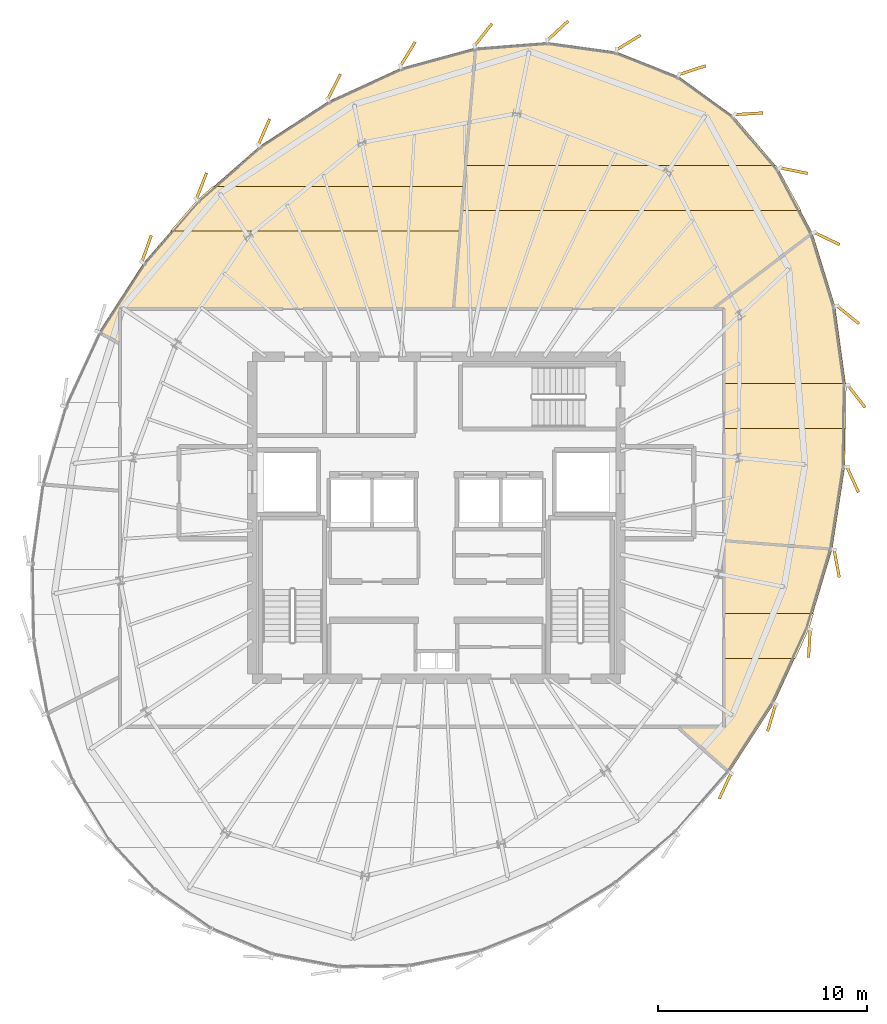
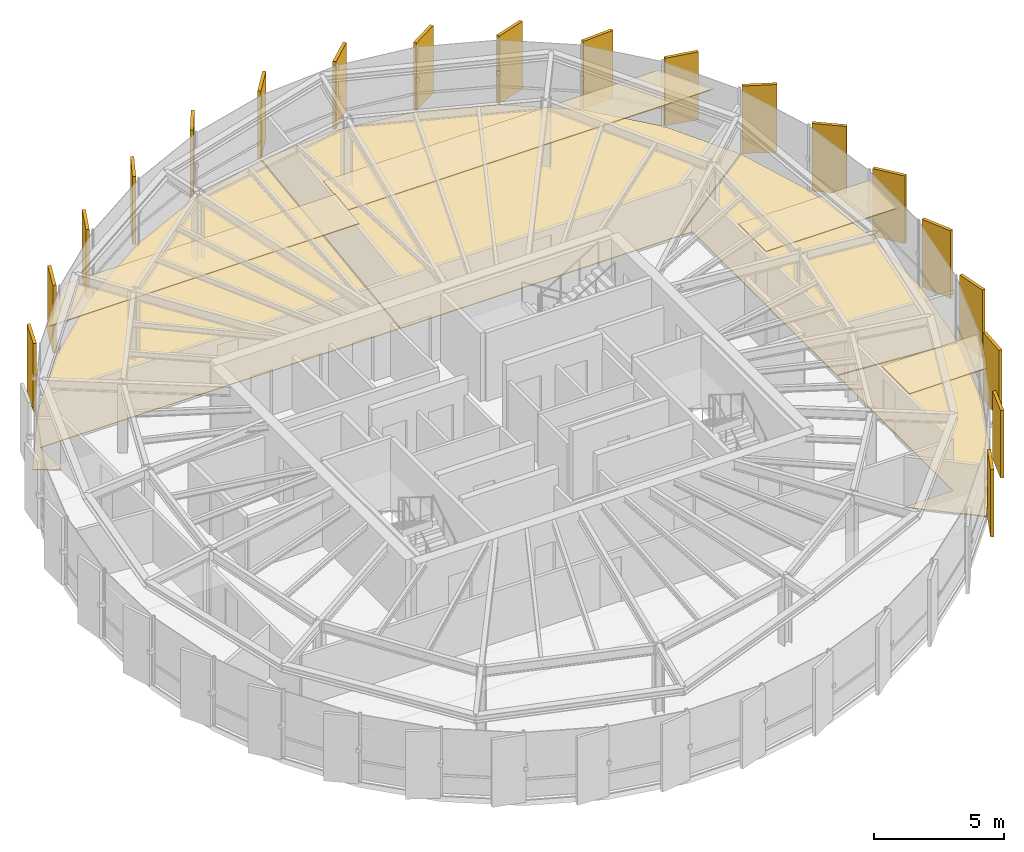
# One storey, part 32 of 32: 27 coverings.
"""IFC4 building model written with IfcOpenShell, lengths in metres."""

from ifc_helpers import new_model, si_unit, direction, frame, origin, origin_2d, place, context, subcontext, project, spatial, polyline, rectangle, outline, extrude, source, transform, mapped, material, layer, layer_set, type_object, element, save


model = new_model("IFC4")

# Units and contexts
model_context = context("Model", 3, precision=1e-05, world=origin(), true_north=direction((0.0, 1.0)))
body_context = subcontext(model_context, "Body", "Model", "MODEL_VIEW")
ifc_project = project(units=[si_unit("LENGTHUNIT", "METRE"), si_unit("AREAUNIT", "SQUARE_METRE"), si_unit("VOLUMEUNIT", "CUBIC_METRE"), si_unit("PLANEANGLEUNIT", "RADIAN"), si_unit("MASSUNIT", "GRAM", prefix="KILO"), si_unit("THERMODYNAMICTEMPERATUREUNIT", "KELVIN")], contexts=[model_context])

# Site, building, storey
site_placement = place(None, origin())
site = spatial("IfcSite", under=ifc_project, at=site_placement, CompositionType="ELEMENT")
building_placement = place(site_placement, origin())
building = spatial("IfcBuilding", under=site, at=building_placement, Name="Kethvar Cultural Tower", CompositionType="ELEMENT")
storey_placement = place(building_placement, frame((0.0, 0.0, 280.14990234375)))
storey = spatial("IfcBuildingStorey", under=building, at=storey_placement, Name="L74", CompositionType="ELEMENT", Elevation=280.14990234375)

# Coverings
ifc_material_1 = material(Name="Acoustic Mineral Fibre Ceiling")
ifc_layer_1 = layer(ifc_material_1, 0.0400390625, Name="Acoustic Mineral Fibre Ceiling")
ifc_layer_set_1 = layer_set([ifc_layer_1], Name="Acoustic Mineral Fibre Ceiling (40 mm)")
covering_type_1 = type_object("IfcCoveringType", Name="CV-ACOUSTIC-CEIL", PredefinedType="CEILING", material=ifc_layer_set_1)
covering_1_placement = place(storey_placement, frame((0.0, 0.0, 2.56005859375)))
element("IfcCovering", 1, at=covering_1_placement, inside=storey, type_object=covering_type_1, Name="L74 Room 02 Acoustic Ceiling Panel", PredefinedType="CEILING", context=body_context, shape_type="SweptSolid", body=[
    extrude(outline(polyline([(64.6142578125, 22.486083984375), (63.963623046875, 21.072998046875), (60.530029296875, 21.072998046875), (60.530029296875, 23.222900390625), (64.835205078125, 23.222900390625), (64.6142578125, 22.486083984375)])), origin(), (0.0, 0.0, 1.0), 0.0400390625),
])
covering_2_placement = place(storey_placement, frame((0.0, 0.0, 2.56005859375)))
element("IfcCovering", 2, at=covering_2_placement, inside=storey, type_object=covering_type_1, Name="L74 Room 03 Acoustic Ceiling Panel", PredefinedType="CEILING", context=body_context, shape_type="SweptSolid", body=[
    extrude(outline(polyline([(66.397216796875, 34.2197265625), (66.383056640625, 32.06982421875), (60.530029296875, 32.06982421875), (60.530029296875, 34.2197265625), (66.397216796875, 34.2197265625)])), origin(), (0.0, 0.0, 1.0), 0.0400390625),
])
covering_3_placement = place(storey_placement, frame((0.0, 0.0, 2.56005859375)))
element("IfcCovering", 3, at=covering_3_placement, inside=storey, type_object=covering_type_1, Name="L74 Room 04 Acoustic Ceiling Panel", PredefinedType="CEILING", context=body_context, shape_type="SweptSolid", body=[
    extrude(outline(polyline([(63.041015625, 44.64990234375), (64.233154296875, 42.499755859375), (47.984619140625, 42.499755859375), (48.160888671875, 44.64990234375), (63.041015625, 44.64990234375)])), origin(), (0.0, 0.0, 1.0), 0.0400390625),
])
covering_4_placement = place(storey_placement, frame((0.0, 0.0, 2.56005859375)))
element("IfcCovering", 4, at=covering_4_placement, inside=storey, type_object=covering_type_1, Name="L74 Room 05 Acoustic Ceiling Panel", PredefinedType="CEILING", context=body_context, shape_type="SweptSolid", body=[
    extrude(outline(polyline([(35.365234375, 42.990966796875), (36.11669921875, 43.6484375), (48.118896484375, 43.6484375), (47.94287109375, 41.498291015625), (34.07177734375, 41.498291015625), (35.365234375, 42.990966796875)])), origin(), (0.0, 0.0, 1.0), 0.0400390625),
])
ifc_material_2 = material(Name="Honed Warm Limestone", Category="masonry")
ifc_layer_2 = layer(ifc_material_2, 0.030029296875, Name="Honed Warm Limestone", Category="masonry")
ifc_layer_set_2 = layer_set([ifc_layer_2], Name="Honed Warm Limestone (30 mm)")
covering_type_2 = type_object("IfcCoveringType", Name="CV-STONE-FLOOR", PredefinedType="FLOORING", material=ifc_layer_set_2)
covering_5_placement = place(storey_placement, origin())
element("IfcCovering", 5, at=covering_5_placement, inside=storey, type_object=covering_type_2, Name="L74 Room 02 Floor Finish", PredefinedType="FLOORING", context=body_context, shape_type="SweptSolid", body=[
    extrude(outline(polyline([(64.5771484375, 22.501708984375), (62.933349609375, 18.9306640625), (60.8203125, 15.664794921875), (58.3740234375, 17.787109375), (60.569580078125, 17.802978515625), (60.570068359375, 26.68212890625), (65.707763671875, 26.272705078125), (64.5771484375, 22.501708984375)])), origin(), (0.0, 0.0, 1.0), 0.030029296875),
])
covering_6_placement = place(storey_placement, origin())
element("IfcCovering", 6, at=covering_6_placement, inside=storey, type_object=covering_type_2, Name="L74 Room 03 Floor Finish", PredefinedType="FLOORING", context=body_context, shape_type="SweptSolid", body=[
    extrude(outline(polyline([(65.85498046875, 37.90087890625), (66.36962890625, 34.12548828125), (66.31884765625, 30.2109375), (65.717041015625, 26.31201171875), (60.570068359375, 26.722412109375), (60.570068359375, 37.79296875), (60.07958984375, 37.81298828125), (64.78271484375, 41.3681640625), (65.85498046875, 37.90087890625)])), origin(), (0.0, 0.0, 1.0), 0.030029296875),
])
covering_7_placement = place(storey_placement, origin())
element("IfcCovering", 7, at=covering_7_placement, inside=storey, type_object=covering_type_2, Name="L74 Room 04 Floor Finish", PredefinedType="FLOORING", context=body_context, shape_type="SweptSolid", body=[
    extrude(outline(polyline([(63.14501953125, 44.465576171875), (64.767578125, 41.406982421875), (60.01318359375, 37.81298828125), (47.640625, 37.81298828125), (48.660888671875, 50.26171875), (52.113037109375, 50.5302734375), (55.398681640625, 50.07421875), (58.39208984375, 48.885986328125), (60.999267578125, 46.9951171875), (63.14501953125, 44.465576171875)])), origin(), (0.0, 0.0, 1.0), 0.030029296875),
])
covering_8_placement = place(storey_placement, origin())
element("IfcCovering", 8, at=covering_8_placement, inside=storey, type_object=covering_type_2, Name="L74 Room 05 Floor Finish", PredefinedType="FLOORING", context=body_context, shape_type="SweptSolid", body=[
    extrude(outline(polyline([(32.801025390625, 39.970947265625), (35.39453125, 42.963623046875), (38.376708984375, 45.572021484375), (41.65478515625, 47.71240234375), (45.1181640625, 49.30078125), (48.6201171875, 50.25341796875), (47.6005859375, 37.81298828125), (31.677978515625, 37.81298828125), (31.659912109375, 36.14599609375), (30.677490234375, 36.686279296875), (32.801025390625, 39.970947265625)])), origin(), (0.0, 0.0, 1.0), 0.030029296875),
])
ifc_material_3 = material(Name="Extruded Architectural Terracotta", Category="masonry")
ifc_layer_3 = layer(ifc_material_3, 0.135009765625, Name="Extruded Architectural Terracotta", Category="masonry")
ifc_layer_set_3 = layer_set([ifc_layer_3], Name="Extruded Architectural Terracotta (135 mm)")
covering_type_3 = type_object("IfcCoveringType", Name="Terracotta Facade Fin FIN-03", PredefinedType="CLADDING", material=ifc_layer_set_3)
shared_shape = source(origin(), body_context, "Body", "SweptSolid", [
    extrude(rectangle(XDim=1.35009765625, YDim=0.135009765625, at=origin_2d()), origin(), (0.0, 0.0, 1.0), 3.169921875),
])
for number, where, z_axis, x_axis, name in (
    (9, (59.0400390625, 49.199951171875, 0.02001953125), (0.0, 0.0, 1.0), (0.950948591076, 0.309348956893, 0.0), "L74 Vertical Terracotta Fin 1.1"),
    (10, (55.99072265625, 50.52490234375, 0.02001953125), (0.0, 0.0, 1.0), (0.853186855959, 0.521605395695, 0.0), "L74 Vertical Terracotta Fin 1.2"),
    (11, (52.60302734375, 51.088623046875, 0.02001953125), (0.0, 0.0, 1.0), (0.733966989553, 0.679185142834, 0.0), "L74 Vertical Terracotta Fin 1.3"),
    (12, (49.039306640625, 50.887451171875, 0.02001953125), (0.0, 0.0, 1.0), (0.61909394931, 0.785316930881, 0.0), "L74 Vertical Terracotta Fin 1.4"),
    (13, (45.431396484375, 49.9677734375, 0.02001953125), (0.0, 0.0, 1.0), (0.523391160753, 0.852092537724, 0.0), "L74 Vertical Terracotta Fin 1.5"),
    (14, (41.90625, 48.3994140625, 0.02001953125), (0.0, 0.0, 1.0), (0.451656296979, 0.89219201375, 0.0), "L74 Vertical Terracotta Fin 1.6"),
    (15, (38.556640625, 46.24267578125, 0.02001953125), (0.0, 0.0, 1.0), (0.402427161349, 0.915452008468, 0.0), "L74 Vertical Terracotta Fin 2.1"),
    (16, (35.5673828125, 43.658203125, 0.02001953125), (0.0, 0.0, 1.0), (0.366501226724, 0.930417567982, 0.0), "L74 Vertical Terracotta Fin 2.2"),
    (17, (32.94384765625, 40.662353515625, 0.02001953125), (0.0, 0.0, 1.0), (0.334793807884, 0.94229141257, 0.0), "L74 Vertical Terracotta Fin 2.3"),
    (18, (60.607666015625, 14.97900390625, 0.02001953125), (0.0, 0.0, 1.0), (-0.421035813367, -0.907044014291, 0.0), "L74 Vertical Terracotta Fin 5.3"),
    (19, (62.829345703125, 18.2412109375, 0.02001953125), (0.0, 0.0, 1.0), (-0.28769484546, -0.957722128749, 0.0), "L74 Vertical Terracotta Fin 5.4"),
    (20, (64.6328125, 21.7978515625, 0.02001953125), (0.0, 0.0, 1.0), (-0.059132146956, -0.998250163635, 0.0), "L74 Vertical Terracotta Fin 5.5"),
    (21, (65.9375, 25.614990234375, 0.02001953125), (0.0, 0.0, 1.0), (0.184122902392, -0.982903228611, 0.0), "L74 Vertical Terracotta Fin 5.6"),
    (22, (66.698486328125, 29.62939453125, 0.02001953125), (0.0, 0.0, 1.0), (0.413581206025, -0.910467235008, 0.0), "L74 Vertical Terracotta Fin 6.1"),
    (23, (66.88232421875, 33.60400390625, 0.02001953125), (0.0, 0.0, 1.0), (0.612355272073, -0.790582709629, 0.0), "L74 Vertical Terracotta Fin 6.2"),
    (24, (66.475341796875, 37.503662109375, 0.02001953125), (0.0, 0.0, 1.0), (0.776816343556, -0.629727217439, 0.0), "L74 Vertical Terracotta Fin 6.3"),
    (25, (65.47314453125, 41.147705078125, 0.02001953125), (0.0, 0.0, 1.0), (0.902359745553, -0.430983630323, 0.0), "L74 Vertical Terracotta Fin 6.4"),
    (26, (63.88427734375, 44.3955078125, 0.02001953125), (0.0, 0.0, 1.0), (0.980374533385, -0.197144044521, 0.0), "L74 Vertical Terracotta Fin 6.5"),
    (27, (61.733642578125, 47.114501953125, 0.02001953125), (0.0, 0.0, 1.0), (0.998260468937, 0.058957918535, 0.0), "L74 Vertical Terracotta Fin 6.6"),
):
    element("IfcCovering", number, at=place(storey_placement, frame(where, z_axis=z_axis, x_axis=x_axis)), inside=storey, type_object=covering_type_3, Name=name, PredefinedType="CLADDING", context=body_context, shape_type="MappedRepresentation", body=[
        mapped(shared_shape, transform((0.0, 0.0, 0.0), scale=1.0)),
    ])

save(model, "model.ifc")
